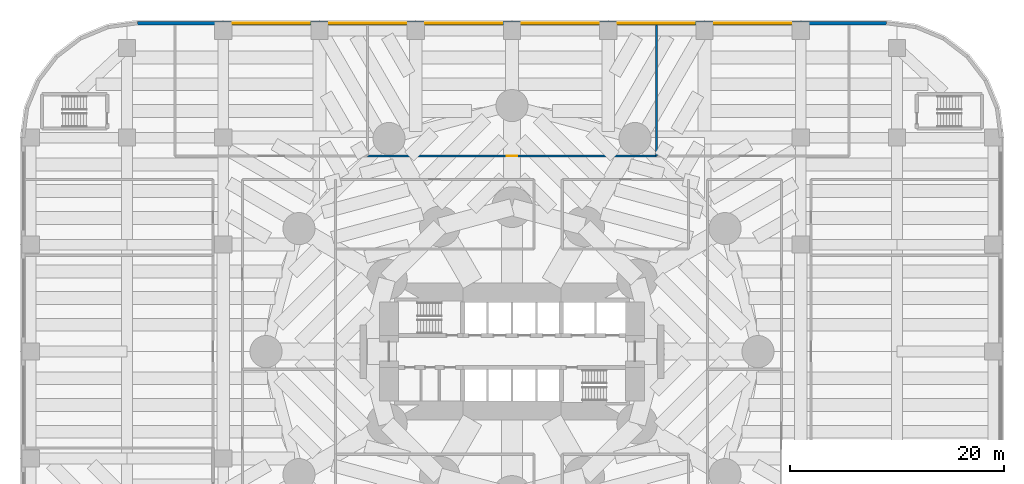
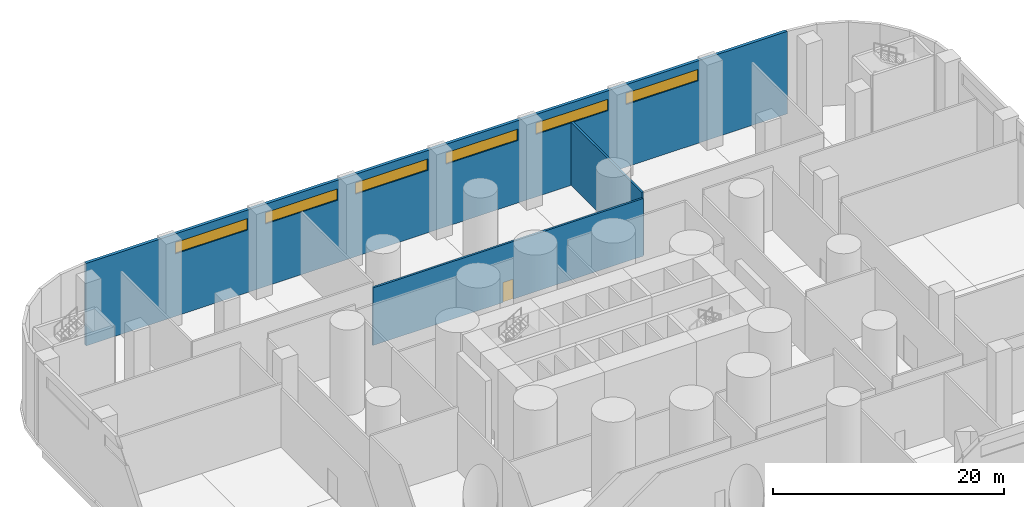
# One storey, part 10 of 13: 6 windows, 3 walls, 1 door, 7 openings.
"""IFC4 building model written with IfcOpenShell, lengths in metres."""

from ifc_helpers import new_model, si_unit, direction, frame, frame_2d, origin, place, context, subcontext, project, spatial, rectangle, extrude, material, layer, layer_set, type_object, element, fill, save


model = new_model("IFC4")

# Units and contexts
model_context = context("Model", 3, precision=1e-05, world=origin(), true_north=direction((0.0, 1.0)))
body_context = subcontext(model_context, "Body", "Model", "MODEL_VIEW")
ifc_project = project(units=[si_unit("LENGTHUNIT", "METRE"), si_unit("AREAUNIT", "SQUARE_METRE"), si_unit("VOLUMEUNIT", "CUBIC_METRE"), si_unit("PLANEANGLEUNIT", "RADIAN"), si_unit("MASSUNIT", "GRAM", prefix="KILO")], contexts=[model_context])

# Site, building, storey
site_placement = place(None, origin())
site = spatial("IfcSite", under=ifc_project, at=site_placement, CompositionType="ELEMENT")
building_placement = place(site_placement, origin())
building = spatial("IfcBuilding", under=site, at=building_placement, Name="Qaws Media Tower", CompositionType="ELEMENT")
storey_placement = place(building_placement, frame((0.0, 0.0, 6.0)))
storey = spatial("IfcBuildingStorey", under=building, at=storey_placement, Name="L01", CompositionType="ELEMENT", Elevation=6.0)

# Wall, openings, windows
ifc_material_1 = material(Name="Precast concrete, exposed finish", Category="concrete")
ifc_layer_1 = layer(ifc_material_1, 0.300048828125)
ifc_layer_set_1 = layer_set([ifc_layer_1], Name="Podium facade wall 300")
wall_type_1 = type_object("IfcWallType", Name="Podium facade wall 300", PredefinedType="SOLIDWALL", material=ifc_layer_set_1)
wall_1_placement = place(storey_placement, frame((95.0, 80.699951171875, 0.0), z_axis=(0.0, 0.0, 1.0), x_axis=(-1.0, 0.0, 0.0)))
wall_1 = element("IfcWall", 1, at=wall_1_placement, inside=storey, type_object=wall_type_1, Name="W780 EW2 podium wall L01-14", PredefinedType="SOLIDWALL", context=body_context, shape_type="SweptSolid", body=[
    extrude(rectangle(XDim=70.0, YDim=0.300048828125, at=frame_2d((35.0, 0.0))), origin(), (0.0, 0.0, 1.0), 8.699951171875),
])
opening_1_placement = place(wall_1_placement, frame((53.89990234375, 0.0, 6.60009765625)))
opening_1 = element("IfcOpeningElement", 2, at=opening_1_placement, cuts=wall_1, Name="Opening W4", PredefinedType="OPENING", context=body_context, shape_type="SweptSolid", body=[
    extrude(rectangle(XDim=7.199951171875, YDim=1.199951171875, at=frame_2d((3.60009765625, 0.60009765625))), frame((0.0, 0.159912109375, 0.0), z_axis=(0.0, -1.0, 0.0), x_axis=(1.0, 0.0, 0.0)), (0.0, 0.0, 1.0), 0.320068359375),
])
opening_2_placement = place(wall_1_placement, frame((44.89990234375, 0.0, 6.60009765625)))
opening_2 = element("IfcOpeningElement", 3, at=opening_2_placement, cuts=wall_1, Name="Opening W4", PredefinedType="OPENING", context=body_context, shape_type="SweptSolid", body=[
    extrude(rectangle(XDim=7.199951171875, YDim=1.199951171875, at=frame_2d((3.60009765625, 0.60009765625))), frame((0.0, 0.159912109375, 0.0), z_axis=(0.0, -1.0, 0.0), x_axis=(1.0, 0.0, 0.0)), (0.0, 0.0, 1.0), 0.320068359375),
])
opening_3_placement = place(wall_1_placement, frame((35.89990234375, 0.0, 6.60009765625)))
opening_3 = element("IfcOpeningElement", 4, at=opening_3_placement, cuts=wall_1, Name="Opening W4", PredefinedType="OPENING", context=body_context, shape_type="SweptSolid", body=[
    extrude(rectangle(XDim=7.199951171875, YDim=1.199951171875, at=frame_2d((3.60009765625, 0.60009765625))), frame((0.0, 0.159912109375, 0.0), z_axis=(0.0, -1.0, 0.0), x_axis=(1.0, 0.0, 0.0)), (0.0, 0.0, 1.0), 0.320068359375),
])
opening_4_placement = place(wall_1_placement, frame((26.89990234375, 0.0, 6.60009765625)))
opening_4 = element("IfcOpeningElement", 5, at=opening_4_placement, cuts=wall_1, Name="Opening W4", PredefinedType="OPENING", context=body_context, shape_type="SweptSolid", body=[
    extrude(rectangle(XDim=7.199951171875, YDim=1.199951171875, at=frame_2d((3.60009765625, 0.60009765625))), frame((0.0, 0.159912109375, 0.0), z_axis=(0.0, -1.0, 0.0), x_axis=(1.0, 0.0, 0.0)), (0.0, 0.0, 1.0), 0.320068359375),
])
opening_5_placement = place(wall_1_placement, frame((17.89990234375, 0.0, 6.60009765625)))
opening_5 = element("IfcOpeningElement", 6, at=opening_5_placement, cuts=wall_1, Name="Opening W4", PredefinedType="OPENING", context=body_context, shape_type="SweptSolid", body=[
    extrude(rectangle(XDim=7.199951171875, YDim=1.199951171875, at=frame_2d((3.60009765625, 0.60009765625))), frame((0.0, 0.159912109375, 0.0), z_axis=(0.0, -1.0, 0.0), x_axis=(1.0, 0.0, 0.0)), (0.0, 0.0, 1.0), 0.320068359375),
])
opening_6_placement = place(wall_1_placement, frame((8.89990234375, 0.0, 6.60009765625)))
opening_6 = element("IfcOpeningElement", 7, at=opening_6_placement, cuts=wall_1, Name="Opening W4", PredefinedType="OPENING", context=body_context, shape_type="SweptSolid", body=[
    extrude(rectangle(XDim=7.199951171875, YDim=1.199951171875, at=frame_2d((3.60009765625, 0.60009765625))), frame((0.0, 0.159912109375, 0.0), z_axis=(0.0, -1.0, 0.0), x_axis=(1.0, 0.0, 0.0)), (0.0, 0.0, 1.0), 0.320068359375),
])
ifc_material_2 = material(Name="Aluminium and clear glass", Category="aluminium")
window_type = type_object("IfcWindowType", Name="Clerestory window 7200x1200", PartitioningType="TRIPLE_PANEL_HORIZONTAL", PredefinedType="WINDOW", material=ifc_material_2)
window_1_placement = place(opening_1_placement, origin())
window_1 = element("IfcWindow", 8, at=window_1_placement, inside=storey, type_object=window_type, Name="W4 window L01 bay 3", OverallHeight=1.199951171875, OverallWidth=7.199951171875, PartitioningType="SINGLE_PANEL", PredefinedType="WINDOW", context=body_context, shape_type="SweptSolid", body=[
    extrude(rectangle(XDim=7.199951171875, YDim=1.199951171875, at=frame_2d((3.60009765625, 0.60009765625))), frame((0.0, 0.030029296875, 0.0), z_axis=(0.0, -1.0, 0.0), x_axis=(1.0, 0.0, 0.0)), (0.0, 0.0, 1.0), 0.06005859375),
])
fill(opening_1, window_1)
window_2_placement = place(opening_2_placement, origin())
window_2 = element("IfcWindow", 9, at=window_2_placement, inside=storey, type_object=window_type, Name="W4 window L01 bay 4", OverallHeight=1.199951171875, OverallWidth=7.199951171875, PartitioningType="SINGLE_PANEL", PredefinedType="WINDOW", context=body_context, shape_type="SweptSolid", body=[
    extrude(rectangle(XDim=7.199951171875, YDim=1.199951171875, at=frame_2d((3.60009765625, 0.60009765625))), frame((0.0, 0.030029296875, 0.0), z_axis=(0.0, -1.0, 0.0), x_axis=(1.0, 0.0, 0.0)), (0.0, 0.0, 1.0), 0.06005859375),
])
fill(opening_2, window_2)
window_3_placement = place(opening_3_placement, origin())
window_3 = element("IfcWindow", 10, at=window_3_placement, inside=storey, type_object=window_type, Name="W4 window L01 bay 5", OverallHeight=1.199951171875, OverallWidth=7.199951171875, PartitioningType="SINGLE_PANEL", PredefinedType="WINDOW", context=body_context, shape_type="SweptSolid", body=[
    extrude(rectangle(XDim=7.199951171875, YDim=1.199951171875, at=frame_2d((3.60009765625, 0.60009765625))), frame((0.0, 0.030029296875, 0.0), z_axis=(0.0, -1.0, 0.0), x_axis=(1.0, 0.0, 0.0)), (0.0, 0.0, 1.0), 0.06005859375),
])
fill(opening_3, window_3)
window_4_placement = place(opening_4_placement, origin())
window_4 = element("IfcWindow", 11, at=window_4_placement, inside=storey, type_object=window_type, Name="W4 window L01 bay 6", OverallHeight=1.199951171875, OverallWidth=7.199951171875, PartitioningType="SINGLE_PANEL", PredefinedType="WINDOW", context=body_context, shape_type="SweptSolid", body=[
    extrude(rectangle(XDim=7.199951171875, YDim=1.199951171875, at=frame_2d((3.60009765625, 0.60009765625))), frame((0.0, 0.030029296875, 0.0), z_axis=(0.0, -1.0, 0.0), x_axis=(1.0, 0.0, 0.0)), (0.0, 0.0, 1.0), 0.06005859375),
])
fill(opening_4, window_4)
window_5_placement = place(opening_5_placement, origin())
window_5 = element("IfcWindow", 12, at=window_5_placement, inside=storey, type_object=window_type, Name="W4 window L01 bay 7", OverallHeight=1.199951171875, OverallWidth=7.199951171875, PartitioningType="SINGLE_PANEL", PredefinedType="WINDOW", context=body_context, shape_type="SweptSolid", body=[
    extrude(rectangle(XDim=7.199951171875, YDim=1.199951171875, at=frame_2d((3.60009765625, 0.60009765625))), frame((0.0, 0.030029296875, 0.0), z_axis=(0.0, -1.0, 0.0), x_axis=(1.0, 0.0, 0.0)), (0.0, 0.0, 1.0), 0.06005859375),
])
fill(opening_5, window_5)
window_6_placement = place(opening_6_placement, origin())
window_6 = element("IfcWindow", 13, at=window_6_placement, inside=storey, type_object=window_type, Name="W4 window L01 bay 8", OverallHeight=1.199951171875, OverallWidth=7.199951171875, PartitioningType="SINGLE_PANEL", PredefinedType="WINDOW", context=body_context, shape_type="SweptSolid", body=[
    extrude(rectangle(XDim=7.199951171875, YDim=1.199951171875, at=frame_2d((3.60009765625, 0.60009765625))), frame((0.0, 0.030029296875, 0.0), z_axis=(0.0, -1.0, 0.0), x_axis=(1.0, 0.0, 0.0)), (0.0, 0.0, 1.0), 0.06005859375),
])
fill(opening_6, window_6)

# Wall
ifc_material_3 = material(Name="Gypsum board on galvanised metal studs, acoustic double stud, deflection head", Category="gypsum")
ifc_layer_2 = layer(ifc_material_3, 0.199951171875)
ifc_layer_set_2 = layer_set([ifc_layer_2], Name="Room partition 200")
wall_type_2 = type_object("IfcWallType", Name="Room partition 200", PredefinedType="PARTITIONING", material=ifc_layer_set_2)
wall_2_placement = place(storey_placement, frame((73.5, 68.300048828125, 0.0), z_axis=(0.0, 0.0, 1.0), x_axis=(0.0, 1.0, 0.0)))
element("IfcWall", 14, at=wall_2_placement, inside=storey, type_object=wall_type_2, Name="W873 IW3 partition L01", PredefinedType="PARTITIONING", context=body_context, shape_type="SweptSolid", body=[
    extrude(rectangle(XDim=12.244873046875, YDim=0.199951171875, at=frame_2d((6.12255859375, 0.0))), origin(), (0.0, 0.0, 1.0), 6.679931640625),
])

# Wall, opening, door
wall_3_placement = place(storey_placement, frame((46.5, 68.300048828125, 0.0), z_axis=(0.0, 0.0, 1.0), x_axis=(1.0, 0.0, 0.0)))
wall_3 = element("IfcWall", 15, at=wall_3_placement, inside=storey, type_object=wall_type_2, Name="W905 IW3 partition L01", PredefinedType="PARTITIONING", context=body_context, shape_type="SweptSolid", body=[
    extrude(rectangle(XDim=27.0, YDim=0.199951171875, at=frame_2d((13.5, 0.0))), origin(), (0.0, 0.0, 1.0), 6.080078125),
])
opening_7_placement = place(wall_3_placement, frame((13.0, 0.0, 0.0)))
opening_7 = element("IfcOpeningElement", 16, at=opening_7_placement, cuts=wall_3, Name="Opening D5", PredefinedType="OPENING", context=body_context, shape_type="SweptSolid", body=[
    extrude(rectangle(XDim=1.0, YDim=2.10009765625, at=frame_2d((0.5, 1.050048828125))), frame((0.0, 0.10986328125, 0.0), z_axis=(0.0, -1.0, 0.0), x_axis=(1.0, 0.0, 0.0)), (0.0, 0.0, 1.0), 0.219970703125),
])
ifc_material_4 = material(Name="Timber veneered, acoustic seal", Category="wood")
door_type = type_object("IfcDoorType", Name="Room door 1000", OperationType="SINGLE_SWING_LEFT", PredefinedType="DOOR", material=ifc_material_4)
door_placement = place(opening_7_placement, origin())
door = element("IfcDoor", 17, at=door_placement, inside=storey, type_object=door_type, Name="D5 Rehearsal studio door in wall W905", OperationType="SINGLE_SWING_LEFT", OverallHeight=2.10009765625, OverallWidth=1.0, PredefinedType="DOOR", context=body_context, shape_type="SweptSolid", body=[
    extrude(rectangle(XDim=1.0, YDim=2.10009765625, at=frame_2d((0.5, 1.050048828125))), frame((0.0, 0.02490234375, 0.0), z_axis=(0.0, -1.0, 0.0), x_axis=(1.0, 0.0, 0.0)), (0.0, 0.0, 1.0), 0.050048828125),
])
fill(opening_7, door)

save(model, "model.ifc")
